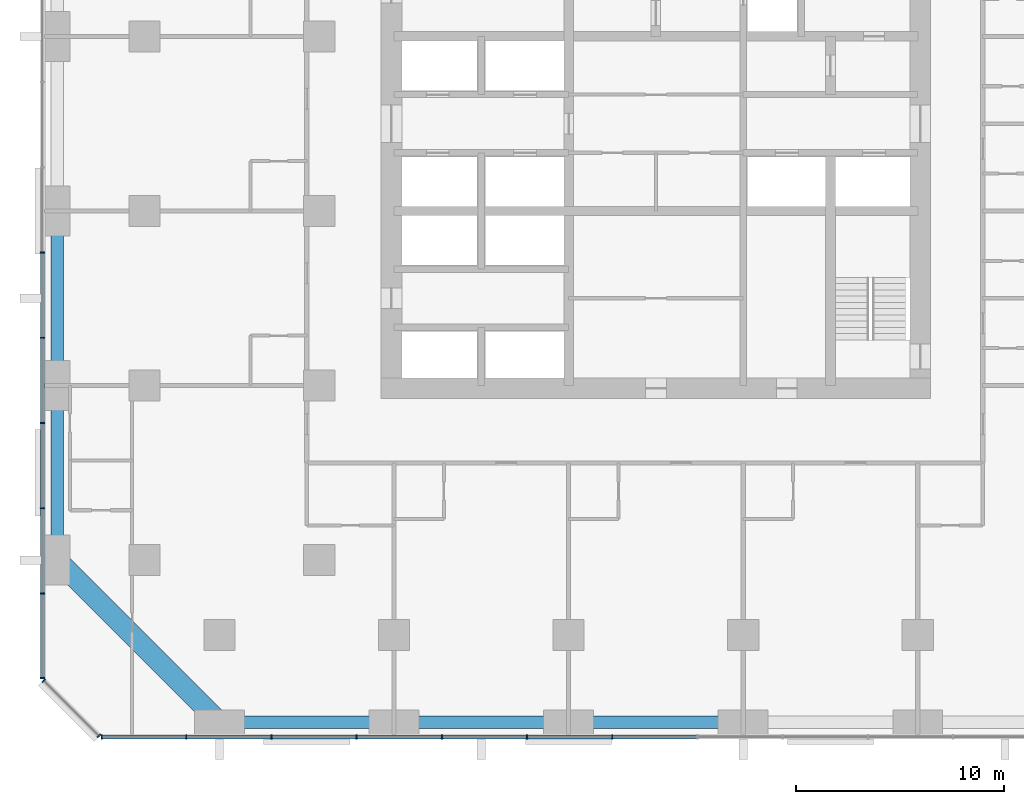
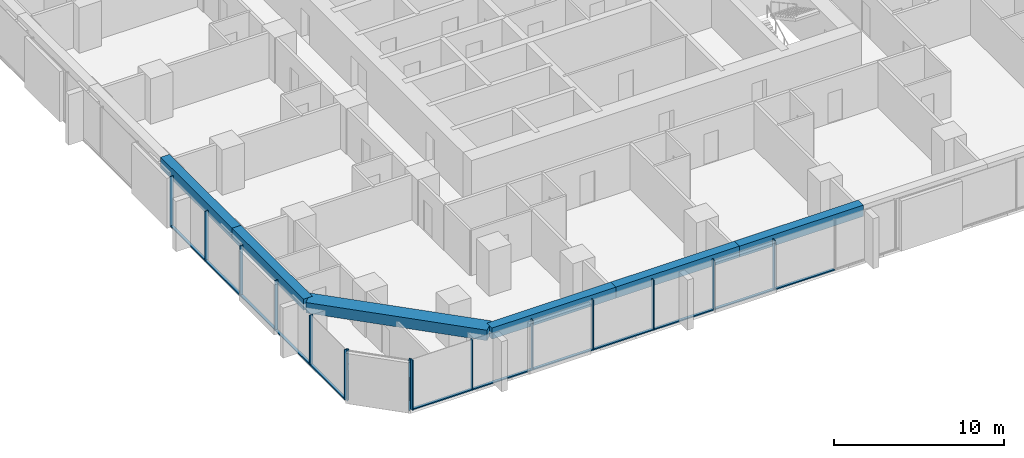
# One storey, part 2 of 13: 27 members, 6 beams, 3 elements without a shape of their own.
"""IFC4 building model written with IfcOpenShell, lengths in metres."""

from ifc_helpers import new_model, si_unit, direction, frame, origin, origin_2d, place, context, subcontext, project, spatial, rectangle, extrude, material, material_profile, profile_set, type_object, element, aggregate, save


model = new_model("IFC4")

# Units and contexts
model_context = context("Model", 3, precision=1e-05, world=origin(), true_north=direction((0.0, 1.0)))
body_context = subcontext(model_context, "Body", "Model", "MODEL_VIEW")
ifc_project = project(units=[si_unit("LENGTHUNIT", "METRE"), si_unit("AREAUNIT", "SQUARE_METRE"), si_unit("VOLUMEUNIT", "CUBIC_METRE"), si_unit("PLANEANGLEUNIT", "RADIAN"), si_unit("MASSUNIT", "GRAM", prefix="KILO")], contexts=[model_context])

# Site, building, storey
site_placement = place(None, origin())
site = spatial("IfcSite", under=ifc_project, at=site_placement, CompositionType="ELEMENT")
building_placement = place(site_placement, origin())
building = spatial("IfcBuilding", under=site, at=building_placement, Name="Dunama Terrace Hotel", CompositionType="ELEMENT")
storey_placement = place(building_placement, frame((0.0, 0.0, 118.800048828125)))
storey = spatial("IfcBuildingStorey", under=building, at=storey_placement, Name="L30", CompositionType="ELEMENT", Elevation=118.800048828125)

# Curtain wall, members
ifc_material_1 = material(Name="Aluminium curtain wall system", Category="aluminium")
curtain_wall_type = type_object("IfcCurtainWallType", Name="Unitised fritted glass wall CW-B", PredefinedType="NOTDEFINED", material=ifc_material_1)
curtain_wall_1_placement = place(storey_placement, origin())
curtain_wall_1 = element("IfcCurtainWall", 1, at=curtain_wall_1_placement, inside=storey, type_object=curtain_wall_type, Name="Unitised fritted glass wall CW-B L30", PredefinedType="NOTDEFINED")
ifc_material_2 = material(Name="Aluminium mullion", Category="aluminium")
ifc_material_profile_1 = material_profile(ifc_material_2, rectangle(XDim=0.06494140625, YDim=0.219970703125, at=origin_2d()), Name="CWB MULLION 65X220")
ifc_profile_set_1 = profile_set([ifc_material_profile_1], Name="Aluminium mullion")
member_type_1 = type_object("IfcMemberType", Name="CWB mullion 65x220", PredefinedType="MULLION", material=ifc_profile_set_1)
member_1_placement = place(storey_placement, frame((2.73291015625, -0.110107421875, 0.0), z_axis=(0.0, 0.0, 1.0), x_axis=(1.0, 0.0, 0.0)))
member_1 = element("IfcMember", 2, at=member_1_placement, type_object=member_type_1, Name="CWB mullion", PredefinedType="MULLION", context=body_context, shape_type="SweptSolid", body=[
    extrude(rectangle(XDim=0.06494140625, YDim=0.219970703125, at=origin_2d()), origin(), (0.0, 0.0, 1.0), 3.599853515625),
])
member_2_placement = place(storey_placement, frame((6.800048828125, -0.110107421875, 0.0), z_axis=(0.0, 0.0, 1.0), x_axis=(1.0, 0.0, 0.0)))
member_2 = element("IfcMember", 3, at=member_2_placement, type_object=member_type_1, Name="CWB mullion", PredefinedType="MULLION", context=body_context, shape_type="SweptSolid", body=[
    extrude(rectangle(XDim=0.06494140625, YDim=0.219970703125, at=origin_2d()), origin(), (0.0, 0.0, 1.0), 3.599853515625),
])
member_3_placement = place(storey_placement, frame((10.89990234375, -0.110107421875, 0.0), z_axis=(0.0, 0.0, 1.0), x_axis=(1.0, 0.0, 0.0)))
member_3 = element("IfcMember", 4, at=member_3_placement, type_object=member_type_1, Name="CWB mullion", PredefinedType="MULLION", context=body_context, shape_type="SweptSolid", body=[
    extrude(rectangle(XDim=0.06494140625, YDim=0.219970703125, at=origin_2d()), origin(), (0.0, 0.0, 1.0), 3.599853515625),
])
member_4_placement = place(storey_placement, frame((15.0, -0.110107421875, 0.0), z_axis=(0.0, 0.0, 1.0), x_axis=(1.0, 0.0, 0.0)))
member_4 = element("IfcMember", 5, at=member_4_placement, type_object=member_type_1, Name="CWB mullion", PredefinedType="MULLION", context=body_context, shape_type="SweptSolid", body=[
    extrude(rectangle(XDim=0.06494140625, YDim=0.219970703125, at=origin_2d()), origin(), (0.0, 0.0, 1.0), 3.599853515625),
])
member_5_placement = place(storey_placement, frame((19.10009765625, -0.110107421875, 0.0), z_axis=(0.0, 0.0, 1.0), x_axis=(1.0, 0.0, 0.0)))
member_5 = element("IfcMember", 6, at=member_5_placement, type_object=member_type_1, Name="CWB mullion", PredefinedType="MULLION", context=body_context, shape_type="SweptSolid", body=[
    extrude(rectangle(XDim=0.06494140625, YDim=0.219970703125, at=origin_2d()), origin(), (0.0, 0.0, 1.0), 3.599853515625),
])
member_6_placement = place(storey_placement, frame((23.199951171875, -0.110107421875, 0.0), z_axis=(0.0, 0.0, 1.0), x_axis=(1.0, 0.0, 0.0)))
member_6 = element("IfcMember", 7, at=member_6_placement, type_object=member_type_1, Name="CWB mullion", PredefinedType="MULLION", context=body_context, shape_type="SweptSolid", body=[
    extrude(rectangle(XDim=0.06494140625, YDim=0.219970703125, at=origin_2d()), origin(), (0.0, 0.0, 1.0), 3.599853515625),
])
member_7_placement = place(storey_placement, frame((27.300048828125, -0.110107421875, 0.0), z_axis=(0.0, 0.0, 1.0), x_axis=(1.0, 0.0, 0.0)))
member_7 = element("IfcMember", 8, at=member_7_placement, type_object=member_type_1, Name="CWB mullion", PredefinedType="MULLION", context=body_context, shape_type="SweptSolid", body=[
    extrude(rectangle(XDim=0.06494140625, YDim=0.219970703125, at=origin_2d()), origin(), (0.0, 0.0, 1.0), 3.599853515625),
])

curtain_wall_2_placement = place(storey_placement, origin())
curtain_wall_2 = element("IfcCurtainWall", 9, at=curtain_wall_2_placement, inside=storey, type_object=curtain_wall_type, Name="Unitised fritted glass wall CW-B L30", PredefinedType="NOTDEFINED")
member_8_placement = place(storey_placement, frame((-0.110107421875, 23.199951171875, 0.0), z_axis=(0.0, 0.0, 1.0), x_axis=(0.0, -1.0, 0.0)))
member_8 = element("IfcMember", 10, at=member_8_placement, type_object=member_type_1, Name="CWB mullion", PredefinedType="MULLION", context=body_context, shape_type="SweptSolid", body=[
    extrude(rectangle(XDim=0.06494140625, YDim=0.219970703125, at=origin_2d()), origin(), (0.0, 0.0, 1.0), 3.599853515625),
])
member_9_placement = place(storey_placement, frame((-0.110107421875, 19.10009765625, 0.0), z_axis=(0.0, 0.0, 1.0), x_axis=(0.0, -1.0, 0.0)))
member_9 = element("IfcMember", 11, at=member_9_placement, type_object=member_type_1, Name="CWB mullion", PredefinedType="MULLION", context=body_context, shape_type="SweptSolid", body=[
    extrude(rectangle(XDim=0.06494140625, YDim=0.219970703125, at=origin_2d()), origin(), (0.0, 0.0, 1.0), 3.599853515625),
])
member_10_placement = place(storey_placement, frame((-0.110107421875, 15.0, 0.0), z_axis=(0.0, 0.0, 1.0), x_axis=(0.0, -1.0, 0.0)))
member_10 = element("IfcMember", 12, at=member_10_placement, type_object=member_type_1, Name="CWB mullion", PredefinedType="MULLION", context=body_context, shape_type="SweptSolid", body=[
    extrude(rectangle(XDim=0.06494140625, YDim=0.219970703125, at=origin_2d()), origin(), (0.0, 0.0, 1.0), 3.599853515625),
])
member_11_placement = place(storey_placement, frame((-0.110107421875, 10.89990234375, 0.0), z_axis=(0.0, 0.0, 1.0), x_axis=(0.0, -1.0, 0.0)))
member_11 = element("IfcMember", 13, at=member_11_placement, type_object=member_type_1, Name="CWB mullion", PredefinedType="MULLION", context=body_context, shape_type="SweptSolid", body=[
    extrude(rectangle(XDim=0.06494140625, YDim=0.219970703125, at=origin_2d()), origin(), (0.0, 0.0, 1.0), 3.599853515625),
])
member_12_placement = place(storey_placement, frame((-0.110107421875, 6.800048828125, 0.0), z_axis=(0.0, 0.0, 1.0), x_axis=(0.0, -1.0, 0.0)))
member_12 = element("IfcMember", 14, at=member_12_placement, type_object=member_type_1, Name="CWB mullion", PredefinedType="MULLION", context=body_context, shape_type="SweptSolid", body=[
    extrude(rectangle(XDim=0.06494140625, YDim=0.219970703125, at=origin_2d()), origin(), (0.0, 0.0, 1.0), 3.599853515625),
])
member_13_placement = place(storey_placement, frame((-0.110107421875, 2.73291015625, 0.0), z_axis=(0.0, 0.0, 1.0), x_axis=(0.0, -1.0, 0.0)))
member_13 = element("IfcMember", 15, at=member_13_placement, type_object=member_type_1, Name="CWB mullion", PredefinedType="MULLION", context=body_context, shape_type="SweptSolid", body=[
    extrude(rectangle(XDim=0.06494140625, YDim=0.219970703125, at=origin_2d()), origin(), (0.0, 0.0, 1.0), 3.599853515625),
])

curtain_wall_3_placement = place(storey_placement, origin())
curtain_wall_3 = element("IfcCurtainWall", 16, at=curtain_wall_3_placement, inside=storey, type_object=curtain_wall_type, Name="Unitised fritted glass wall CW-B L30", PredefinedType="NOTDEFINED")
member_14_placement = place(storey_placement, frame((-0.054931640625, 2.59912109375, 0.0), z_axis=(0.0, 0.0, 1.0), x_axis=(0.707106781187, -0.707106781187, 0.0)))
member_14 = element("IfcMember", 17, at=member_14_placement, type_object=member_type_1, Name="CWB mullion", PredefinedType="MULLION", context=body_context, shape_type="SweptSolid", body=[
    extrude(rectangle(XDim=0.06494140625, YDim=0.219970703125, at=origin_2d()), origin(), (0.0, 0.0, 1.0), 3.599853515625),
])
member_15_placement = place(storey_placement, frame((2.59912109375, -0.054931640625, 0.0), z_axis=(0.0, 0.0, 1.0), x_axis=(0.707106781187, -0.707106781187, 0.0)))
member_15 = element("IfcMember", 18, at=member_15_placement, type_object=member_type_1, Name="CWB mullion", PredefinedType="MULLION", context=body_context, shape_type="SweptSolid", body=[
    extrude(rectangle(XDim=0.06494140625, YDim=0.219970703125, at=origin_2d()), origin(), (0.0, 0.0, 1.0), 3.599853515625),
])
aggregate(curtain_wall_3, [member_14, member_15])

# Member
ifc_material_3 = material(Name="Aluminium transom", Category="aluminium")
ifc_material_profile_2 = material_profile(ifc_material_3, rectangle(XDim=0.179931640625, YDim=0.080078125, at=origin_2d()), Name="CWB TRANSOM 180X80")
ifc_profile_set_2 = profile_set([ifc_material_profile_2], Name="Aluminium transom")
member_type_2 = type_object("IfcMemberType", Name="CWB transom 180x80", PredefinedType="USERDEFINED", material=ifc_profile_set_2)
member_16_placement = place(storey_placement, frame((2.764892578125, -0.110107421875, 0.0400390625), z_axis=(1.0, 0.0, 0.0), x_axis=(0.0, 1.0, 0.0)))
member_16 = element("IfcMember", 19, at=member_16_placement, type_object=member_type_2, Name="CWB transom", ObjectType="TRANSOM", PredefinedType="USERDEFINED", context=body_context, shape_type="SweptSolid", body=[
    extrude(rectangle(XDim=0.179931640625, YDim=0.080078125, at=origin_2d()), origin(), (0.0, 0.0, 1.0), 4.003173828125),
])

member_17_placement = place(storey_placement, frame((6.83203125, -0.110107421875, 0.0400390625), z_axis=(1.0, 0.0, 0.0), x_axis=(0.0, 1.0, 0.0)))
member_17 = element("IfcMember", 20, at=member_17_placement, type_object=member_type_2, Name="CWB transom", ObjectType="TRANSOM", PredefinedType="USERDEFINED", context=body_context, shape_type="SweptSolid", body=[
    extrude(rectangle(XDim=0.179931640625, YDim=0.080078125, at=origin_2d()), origin(), (0.0, 0.0, 1.0), 4.034912109375),
])

member_18_placement = place(storey_placement, frame((10.93310546875, -0.110107421875, 0.0400390625), z_axis=(1.0, 0.0, 0.0), x_axis=(0.0, 1.0, 0.0)))
member_18 = element("IfcMember", 21, at=member_18_placement, type_object=member_type_2, Name="CWB transom", ObjectType="TRANSOM", PredefinedType="USERDEFINED", context=body_context, shape_type="SweptSolid", body=[
    extrude(rectangle(XDim=0.179931640625, YDim=0.080078125, at=origin_2d()), origin(), (0.0, 0.0, 1.0), 4.033935546875),
])

member_19_placement = place(storey_placement, frame((15.031982421875, -0.110107421875, 0.0400390625), z_axis=(1.0, 0.0, 0.0), x_axis=(0.0, 1.0, 0.0)))
member_19 = element("IfcMember", 22, at=member_19_placement, type_object=member_type_2, Name="CWB transom", ObjectType="TRANSOM", PredefinedType="USERDEFINED", context=body_context, shape_type="SweptSolid", body=[
    extrude(rectangle(XDim=0.179931640625, YDim=0.080078125, at=origin_2d()), origin(), (0.0, 0.0, 1.0), 4.034912109375),
])

member_20_placement = place(storey_placement, frame((19.132080078125, -0.110107421875, 0.0400390625), z_axis=(1.0, 0.0, 0.0), x_axis=(0.0, 1.0, 0.0)))
member_20 = element("IfcMember", 23, at=member_20_placement, type_object=member_type_2, Name="CWB transom", ObjectType="TRANSOM", PredefinedType="USERDEFINED", context=body_context, shape_type="SweptSolid", body=[
    extrude(rectangle(XDim=0.179931640625, YDim=0.080078125, at=origin_2d()), origin(), (0.0, 0.0, 1.0), 4.035888671875),
])

member_21_placement = place(storey_placement, frame((23.23193359375, -0.110107421875, 0.0400390625), z_axis=(1.0, 0.0, 0.0), x_axis=(0.0, 1.0, 0.0)))
member_21 = element("IfcMember", 24, at=member_21_placement, type_object=member_type_2, Name="CWB transom", ObjectType="TRANSOM", PredefinedType="USERDEFINED", context=body_context, shape_type="SweptSolid", body=[
    extrude(rectangle(XDim=0.179931640625, YDim=0.080078125, at=origin_2d()), origin(), (0.0, 0.0, 1.0), 4.03515625),
])

member_22_placement = place(storey_placement, frame((27.33203125, -0.110107421875, 0.0400390625), z_axis=(1.0, 0.0, 0.0), x_axis=(0.0, 1.0, 0.0)))
member_22 = element("IfcMember", 25, at=member_22_placement, type_object=member_type_2, Name="CWB transom", ObjectType="TRANSOM", PredefinedType="USERDEFINED", context=body_context, shape_type="SweptSolid", body=[
    extrude(rectangle(XDim=0.179931640625, YDim=0.080078125, at=origin_2d()), origin(), (0.0, 0.0, 1.0), 4.034912109375),
])

aggregate(curtain_wall_1, [member_1, member_2, member_3, member_4, member_5, member_6, member_7, member_16, member_17, member_18, member_19, member_20, member_21, member_22])

member_23_placement = place(storey_placement, frame((-0.110107421875, 23.16796875, 0.0400390625), z_axis=(0.0, -1.0, 0.0), x_axis=(1.0, 0.0, 0.0)))
member_23 = element("IfcMember", 26, at=member_23_placement, type_object=member_type_2, Name="CWB transom", ObjectType="TRANSOM", PredefinedType="USERDEFINED", context=body_context, shape_type="SweptSolid", body=[
    extrude(rectangle(XDim=0.179931640625, YDim=0.080078125, at=origin_2d()), origin(), (0.0, 0.0, 1.0), 4.034912109375),
])

member_24_placement = place(storey_placement, frame((-0.110107421875, 19.068115234375, 0.0400390625), z_axis=(0.0, -1.0, 0.0), x_axis=(1.0, 0.0, 0.0)))
member_24 = element("IfcMember", 27, at=member_24_placement, type_object=member_type_2, Name="CWB transom", ObjectType="TRANSOM", PredefinedType="USERDEFINED", context=body_context, shape_type="SweptSolid", body=[
    extrude(rectangle(XDim=0.179931640625, YDim=0.080078125, at=origin_2d()), origin(), (0.0, 0.0, 1.0), 4.0361328125),
])

member_25_placement = place(storey_placement, frame((-0.110107421875, 14.968017578125, 0.0400390625), z_axis=(0.0, -1.0, 0.0), x_axis=(1.0, 0.0, 0.0)))
member_25 = element("IfcMember", 28, at=member_25_placement, type_object=member_type_2, Name="CWB transom", ObjectType="TRANSOM", PredefinedType="USERDEFINED", context=body_context, shape_type="SweptSolid", body=[
    extrude(rectangle(XDim=0.179931640625, YDim=0.080078125, at=origin_2d()), origin(), (0.0, 0.0, 1.0), 4.0361328125),
])

member_26_placement = place(storey_placement, frame((-0.110107421875, 10.866943359375, 0.0400390625), z_axis=(0.0, -1.0, 0.0), x_axis=(1.0, 0.0, 0.0)))
member_26 = element("IfcMember", 29, at=member_26_placement, type_object=member_type_2, Name="CWB transom", ObjectType="TRANSOM", PredefinedType="USERDEFINED", context=body_context, shape_type="SweptSolid", body=[
    extrude(rectangle(XDim=0.179931640625, YDim=0.080078125, at=origin_2d()), origin(), (0.0, 0.0, 1.0), 4.033935546875),
])

member_27_placement = place(storey_placement, frame((-0.110107421875, 6.76806640625, 0.0400390625), z_axis=(0.0, -1.0, 0.0), x_axis=(1.0, 0.0, 0.0)))
member_27 = element("IfcMember", 30, at=member_27_placement, type_object=member_type_2, Name="CWB transom", ObjectType="TRANSOM", PredefinedType="USERDEFINED", context=body_context, shape_type="SweptSolid", body=[
    extrude(rectangle(XDim=0.179931640625, YDim=0.080078125, at=origin_2d()), origin(), (0.0, 0.0, 1.0), 4.003173828125),
])

aggregate(curtain_wall_2, [member_8, member_9, member_10, member_11, member_12, member_13, member_23, member_24, member_25, member_26, member_27])

# Beams
ifc_material_4 = material(Name="Concrete C50/60", Category="concrete")
ifc_material_profile_3 = material_profile(ifc_material_4, rectangle(XDim=1.0, YDim=0.75, at=origin_2d()), Name="RC 1000x750")
ifc_profile_set_3 = profile_set([ifc_material_profile_3], Name="Concrete C50/60")
beam_type_1 = type_object("IfcBeamType", Name="Edge beam RC 1000x750", PredefinedType="SPANDREL", material=ifc_profile_set_3)
beam_1_placement = place(storey_placement, frame((8.39990234375, 0.60009765625, 3.224853515625), z_axis=(-0.707106781187, 0.707106781187, 0.0), x_axis=(-0.707106781187, -0.707106781187, 0.0)))
element("IfcBeam", 31, at=beam_1_placement, inside=storey, type_object=beam_type_1, Name="Corner edge beam under L31", PredefinedType="SPANDREL", context=body_context, shape_type="SweptSolid", body=[
    extrude(rectangle(XDim=1.0, YDim=0.75, at=origin_2d()), origin(), (0.0, 0.0, 1.0), 11.030517578125),
])
ifc_material_5 = material(Name="Concrete C40/50", Category="concrete")
ifc_material_profile_4 = material_profile(ifc_material_5, rectangle(XDim=0.60009765625, YDim=0.800048828125, at=origin_2d()), Name="RC 600x800")
ifc_profile_set_4 = profile_set([ifc_material_profile_4], Name="Concrete C40/50")
beam_type_2 = type_object("IfcBeamType", Name="Edge beam RC 600x800", PredefinedType="SPANDREL", material=ifc_profile_set_4)
beam_2_placement = place(storey_placement, frame((0.60009765625, 8.39990234375, 3.199951171875), z_axis=(0.0, 1.0, 0.0), x_axis=(-1.0, 0.0, 0.0)))
element("IfcBeam", 32, at=beam_2_placement, inside=storey, type_object=beam_type_2, Name="Edge beam under L31", PredefinedType="SPANDREL", context=body_context, shape_type="SweptSolid", body=[
    extrude(rectangle(XDim=0.60009765625, YDim=0.800048828125, at=origin_2d()), origin(), (0.0, 0.0, 1.0), 8.400146484375),
])
beam_3_placement = place(storey_placement, frame((0.60009765625, 16.800048828125, 3.199951171875), z_axis=(0.0, 1.0, 0.0), x_axis=(-1.0, 0.0, 0.0)))
element("IfcBeam", 33, at=beam_3_placement, inside=storey, type_object=beam_type_2, Name="Edge beam under L31", PredefinedType="SPANDREL", context=body_context, shape_type="SweptSolid", body=[
    extrude(rectangle(XDim=0.60009765625, YDim=0.800048828125, at=origin_2d()), origin(), (0.0, 0.0, 1.0), 8.39990234375),
])
beam_4_placement = place(storey_placement, frame((8.39990234375, 0.60009765625, 3.199951171875), z_axis=(1.0, 0.0, 0.0), x_axis=(0.0, 1.0, 0.0)))
element("IfcBeam", 34, at=beam_4_placement, inside=storey, type_object=beam_type_2, Name="Edge beam under L31", PredefinedType="SPANDREL", context=body_context, shape_type="SweptSolid", body=[
    extrude(rectangle(XDim=0.60009765625, YDim=0.800048828125, at=origin_2d()), origin(), (0.0, 0.0, 1.0), 8.400146484375),
])
beam_5_placement = place(storey_placement, frame((16.800048828125, 0.60009765625, 3.199951171875), z_axis=(1.0, 0.0, 0.0), x_axis=(0.0, 1.0, 0.0)))
element("IfcBeam", 35, at=beam_5_placement, inside=storey, type_object=beam_type_2, Name="Edge beam under L31", PredefinedType="SPANDREL", context=body_context, shape_type="SweptSolid", body=[
    extrude(rectangle(XDim=0.60009765625, YDim=0.800048828125, at=origin_2d()), origin(), (0.0, 0.0, 1.0), 8.39990234375),
])
beam_6_placement = place(storey_placement, frame((25.199951171875, 0.60009765625, 3.199951171875), z_axis=(1.0, 0.0, 0.0), x_axis=(0.0, 1.0, 0.0)))
element("IfcBeam", 36, at=beam_6_placement, inside=storey, type_object=beam_type_2, Name="Edge beam under L31", PredefinedType="SPANDREL", context=body_context, shape_type="SweptSolid", body=[
    extrude(rectangle(XDim=0.60009765625, YDim=0.800048828125, at=origin_2d()), origin(), (0.0, 0.0, 1.0), 8.400146484375),
])

save(model, "model.ifc")
